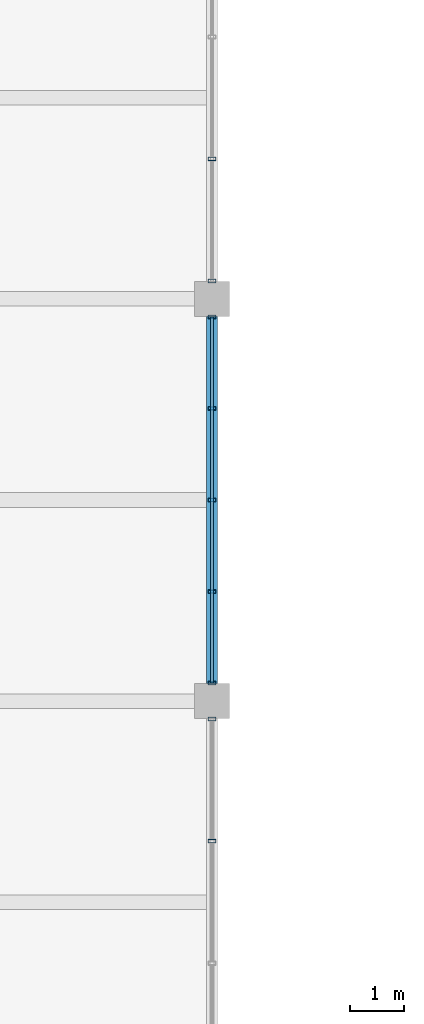
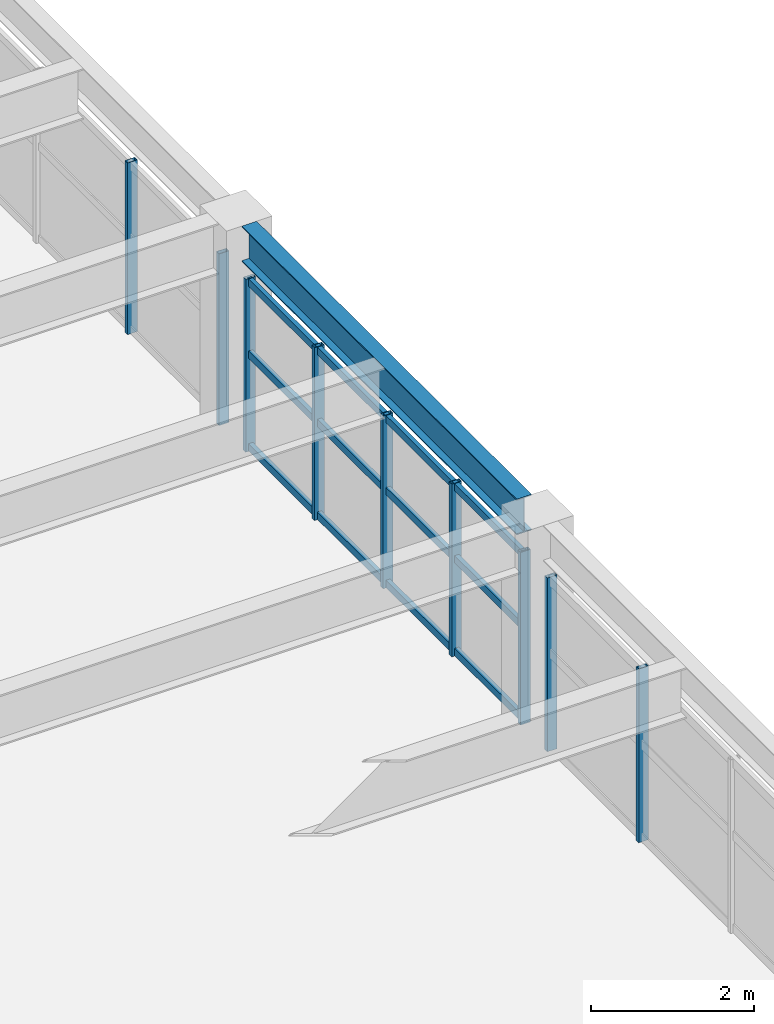
# One storey, part 56 of 93: 12 members, 1 beam, 3 elements without a shape of their own.
"""IFC4 building model written with IfcOpenShell, lengths in metres."""

from ifc_helpers import new_model, si_unit, direction, frame, origin, origin_2d, place, context, subcontext, project, spatial, hollow_rectangle, i_section, extrude, material, material_profile, profile_set, type_object, element, aggregate, save


model = new_model("IFC4")

# Units and contexts
model_context = context("Model", 3, precision=1e-05, world=origin(), true_north=direction((0.0, 1.0)))
body_context = subcontext(model_context, "Body", "Model", "MODEL_VIEW")
ifc_project = project(units=[si_unit("LENGTHUNIT", "METRE"), si_unit("AREAUNIT", "SQUARE_METRE"), si_unit("VOLUMEUNIT", "CUBIC_METRE"), si_unit("PLANEANGLEUNIT", "RADIAN"), si_unit("MASSUNIT", "GRAM", prefix="KILO")], contexts=[model_context])

# Site, building, storey
site_placement = place(None, origin())
site = spatial("IfcSite", under=ifc_project, at=site_placement, CompositionType="ELEMENT")
building_placement = place(site_placement, origin())
building = spatial("IfcBuilding", under=site, at=building_placement, Name="Cimatlan Art Gallery", CompositionType="ELEMENT")
storey_placement = place(building_placement, frame((0.0, 0.0, 13.800048828125)))
storey = spatial("IfcBuildingStorey", under=building, at=storey_placement, Name="L03", CompositionType="ELEMENT", Elevation=13.800048828125)

# Beam
ifc_material_1 = material(Name="Steel ASTM A992 Grade 50", Category="steel")
ifc_material_profile_1 = material_profile(ifc_material_1, i_section(OverallWidth=0.2099609375, OverallDepth=0.532958984375, WebThickness=0.01025390625, FlangeThickness=0.015625, at=origin_2d()), Name="W21X62")
ifc_profile_set_1 = profile_set([ifc_material_profile_1], Name="Steel ASTM A992 Grade 50")
beam_type = type_object("IfcBeamType", Name="BM-STL-W21X62", PredefinedType="BEAM", material=ifc_profile_set_1)
beam_placement = place(storey_placement, frame((99.199951171875, 76.02490234375, 3.113525390625), z_axis=(0.0, 1.0, 0.0), x_axis=(-1.0, 0.0, 0.0)))
element("IfcBeam", 1, at=beam_placement, inside=storey, type_object=beam_type, Name="BM-Y-L03-12-10", PredefinedType="BEAM", context=body_context, shape_type="SweptSolid", body=[
    extrude(i_section(OverallWidth=0.2099609375, OverallDepth=0.532958984375, WebThickness=0.01025390625, FlangeThickness=0.015625, at=origin_2d()), origin(), (0.0, 0.0, 1.0), 6.75),
])

# Curtain wall, members
ifc_material_2 = material(Name="Anodised bronze unitised curtain wall")
curtain_wall_type_1 = type_object("IfcCurtainWallType", Name="CW-V-06742X02603-B3", PredefinedType="NOTDEFINED", material=ifc_material_2)
curtain_wall_1_placement = place(storey_placement, origin())
curtain_wall_1 = element("IfcCurtainWall", 2, at=curtain_wall_1_placement, inside=storey, type_object=curtain_wall_type_1, Name="CW-L03-11-09-E", PredefinedType="NOTDEFINED")
ifc_material_3 = material(Name="Anodised bronze aluminium 6063-T6", Category="aluminium")
ifc_material_profile_2 = material_profile(ifc_material_3, hollow_rectangle(XDim=0.06494140625, YDim=0.139892578125, WallThickness=0.00390625, at=origin_2d()), Name="ALU65X140X4")
ifc_profile_set_2 = profile_set([ifc_material_profile_2], Name="Anodised bronze aluminium 6063-T6")
member_type_1 = type_object("IfcMemberType", Name="CW-MUL-140", PredefinedType="MULLION", material=ifc_profile_set_2)
member_1_placement = place(storey_placement, frame((99.199951171875, 75.37109375, 0.0), z_axis=(0.0, 0.0, 1.0), x_axis=(0.0, 1.0, 0.0)))
member_1 = element("IfcMember", 3, at=member_1_placement, type_object=member_type_1, Name="CW-L03-11-09-E-M1", PredefinedType="MULLION", context=body_context, shape_type="SweptSolid", body=[
    extrude(hollow_rectangle(XDim=0.06494140625, YDim=0.139892578125, WallThickness=0.00390625, at=origin_2d()), origin(), (0.0, 0.0, 1.0), 2.60302734375),
])
member_2_placement = place(storey_placement, frame((99.199951171875, 73.123779296875, 0.0), z_axis=(0.0, 0.0, 1.0), x_axis=(0.0, 1.0, 0.0)))
member_2 = element("IfcMember", 4, at=member_2_placement, type_object=member_type_1, Name="CW-L03-11-09-E-M2", PredefinedType="MULLION", context=body_context, shape_type="SweptSolid", body=[
    extrude(hollow_rectangle(XDim=0.06494140625, YDim=0.139892578125, WallThickness=0.00390625, at=origin_2d()), origin(), (0.0, 0.0, 1.0), 2.60302734375),
])
aggregate(curtain_wall_1, [member_1, member_2])

curtain_wall_type_2 = type_object("IfcCurtainWallType", Name="CW-V-06742X02588-B4", PredefinedType="NOTDEFINED", material=ifc_material_2)
curtain_wall_2_placement = place(storey_placement, origin())
curtain_wall_2 = element("IfcCurtainWall", 5, at=curtain_wall_2_placement, inside=storey, type_object=curtain_wall_type_2, Name="CW-L03-11-10-E", PredefinedType="NOTDEFINED")
member_3_placement = place(storey_placement, frame((99.199951171875, 82.77099609375, 0.0), z_axis=(0.0, 0.0, 1.0), x_axis=(0.0, 1.0, 0.0)))
member_3 = element("IfcMember", 6, at=member_3_placement, type_object=member_type_1, Name="CW-L03-11-10-E-M1", PredefinedType="MULLION", context=body_context, shape_type="SweptSolid", body=[
    extrude(hollow_rectangle(XDim=0.06494140625, YDim=0.139892578125, WallThickness=0.00390625, at=origin_2d()), origin(), (0.0, 0.0, 1.0), 2.587890625),
])
member_4_placement = place(storey_placement, frame((99.199951171875, 81.08544921875, 0.0), z_axis=(0.0, 0.0, 1.0), x_axis=(0.0, 1.0, 0.0)))
member_4 = element("IfcMember", 7, at=member_4_placement, type_object=member_type_1, Name="CW-L03-11-10-E-M2", PredefinedType="MULLION", context=body_context, shape_type="SweptSolid", body=[
    extrude(hollow_rectangle(XDim=0.06494140625, YDim=0.139892578125, WallThickness=0.00390625, at=origin_2d()), origin(), (0.0, 0.0, 1.0), 2.587890625),
])
member_5_placement = place(storey_placement, frame((99.199951171875, 79.39990234375, 0.0), z_axis=(0.0, 0.0, 1.0), x_axis=(0.0, 1.0, 0.0)))
member_5 = element("IfcMember", 8, at=member_5_placement, type_object=member_type_1, Name="CW-L03-11-10-E-M3", PredefinedType="MULLION", context=body_context, shape_type="SweptSolid", body=[
    extrude(hollow_rectangle(XDim=0.06494140625, YDim=0.139892578125, WallThickness=0.00390625, at=origin_2d()), origin(), (0.0, 0.0, 1.0), 2.587890625),
])
member_6_placement = place(storey_placement, frame((99.199951171875, 77.714599609375, 0.0), z_axis=(0.0, 0.0, 1.0), x_axis=(0.0, 1.0, 0.0)))
member_6 = element("IfcMember", 9, at=member_6_placement, type_object=member_type_1, Name="CW-L03-11-10-E-M4", PredefinedType="MULLION", context=body_context, shape_type="SweptSolid", body=[
    extrude(hollow_rectangle(XDim=0.06494140625, YDim=0.139892578125, WallThickness=0.00390625, at=origin_2d()), origin(), (0.0, 0.0, 1.0), 2.587890625),
])
member_7_placement = place(storey_placement, frame((99.199951171875, 76.029052734375, 0.0), z_axis=(0.0, 0.0, 1.0), x_axis=(0.0, 1.0, 0.0)))
member_7 = element("IfcMember", 10, at=member_7_placement, type_object=member_type_1, Name="CW-L03-11-10-E-M5", PredefinedType="MULLION", context=body_context, shape_type="SweptSolid", body=[
    extrude(hollow_rectangle(XDim=0.06494140625, YDim=0.139892578125, WallThickness=0.00390625, at=origin_2d()), origin(), (0.0, 0.0, 1.0), 2.587890625),
])

curtain_wall_type_3 = type_object("IfcCurtainWallType", Name="CW-V-06742X02573-B3", PredefinedType="NOTDEFINED", material=ifc_material_2)
curtain_wall_3_placement = place(storey_placement, origin())
curtain_wall_3 = element("IfcCurtainWall", 11, at=curtain_wall_3_placement, inside=storey, type_object=curtain_wall_type_3, Name="CW-L03-11-11-E", PredefinedType="NOTDEFINED")
member_8_placement = place(storey_placement, frame((99.199951171875, 85.67626953125, 0.0), z_axis=(0.0, 0.0, 1.0), x_axis=(0.0, 1.0, 0.0)))
member_8 = element("IfcMember", 12, at=member_8_placement, type_object=member_type_1, Name="CW-L03-11-11-E-M3", PredefinedType="MULLION", context=body_context, shape_type="SweptSolid", body=[
    extrude(hollow_rectangle(XDim=0.06494140625, YDim=0.139892578125, WallThickness=0.00390625, at=origin_2d()), origin(), (0.0, 0.0, 1.0), 2.572998046875),
])
member_9_placement = place(storey_placement, frame((99.199951171875, 83.428955078125, 0.0), z_axis=(0.0, 0.0, 1.0), x_axis=(0.0, 1.0, 0.0)))
member_9 = element("IfcMember", 13, at=member_9_placement, type_object=member_type_1, Name="CW-L03-11-11-E-M4", PredefinedType="MULLION", context=body_context, shape_type="SweptSolid", body=[
    extrude(hollow_rectangle(XDim=0.06494140625, YDim=0.139892578125, WallThickness=0.00390625, at=origin_2d()), origin(), (0.0, 0.0, 1.0), 2.572998046875),
])
aggregate(curtain_wall_3, [member_8, member_9])

# Member
ifc_material_profile_3 = material_profile(ifc_material_3, hollow_rectangle(XDim=0.06005859375, YDim=0.110107421875, WallThickness=0.00341796875, at=origin_2d()), Name="ALU60X110X3")
ifc_profile_set_3 = profile_set([ifc_material_profile_3], Name="Anodised bronze aluminium 6063-T6")
member_type_2 = type_object("IfcMemberType", Name="CW-TRN-110", PredefinedType="USERDEFINED", material=ifc_profile_set_3)
member_10_placement = place(storey_placement, frame((99.199951171875, 82.77099609375, 0.06005859375), z_axis=(0.0, -1.0, 0.0), x_axis=(1.0, 0.0, 0.0)))
member_10 = element("IfcMember", 14, at=member_10_placement, type_object=member_type_2, Name="CW-L03-11-10-E-T1", ObjectType="TRANSOM", PredefinedType="USERDEFINED", context=body_context, shape_type="SweptSolid", body=[
    extrude(hollow_rectangle(XDim=0.06005859375, YDim=0.110107421875, WallThickness=0.00341796875, at=origin_2d()), origin(), (0.0, 0.0, 1.0), 6.741943359375),
])

member_11_placement = place(storey_placement, frame((99.199951171875, 82.77099609375, 1.44921875), z_axis=(0.0, -1.0, 0.0), x_axis=(1.0, 0.0, 0.0)))
member_11 = element("IfcMember", 15, at=member_11_placement, type_object=member_type_2, Name="CW-L03-11-10-E-T2", ObjectType="TRANSOM", PredefinedType="USERDEFINED", context=body_context, shape_type="SweptSolid", body=[
    extrude(hollow_rectangle(XDim=0.06005859375, YDim=0.110107421875, WallThickness=0.00341796875, at=origin_2d()), origin(), (0.0, 0.0, 1.0), 6.741943359375),
])

member_12_placement = place(storey_placement, frame((99.199951171875, 82.77099609375, 2.52783203125), z_axis=(0.0, -1.0, 0.0), x_axis=(1.0, 0.0, 0.0)))
member_12 = element("IfcMember", 16, at=member_12_placement, type_object=member_type_2, Name="CW-L03-11-10-E-T3", ObjectType="TRANSOM", PredefinedType="USERDEFINED", context=body_context, shape_type="SweptSolid", body=[
    extrude(hollow_rectangle(XDim=0.06005859375, YDim=0.110107421875, WallThickness=0.00341796875, at=origin_2d()), origin(), (0.0, 0.0, 1.0), 6.741943359375),
])

aggregate(curtain_wall_2, [member_3, member_4, member_5, member_6, member_7, member_10, member_11, member_12])

save(model, "model.ifc")
